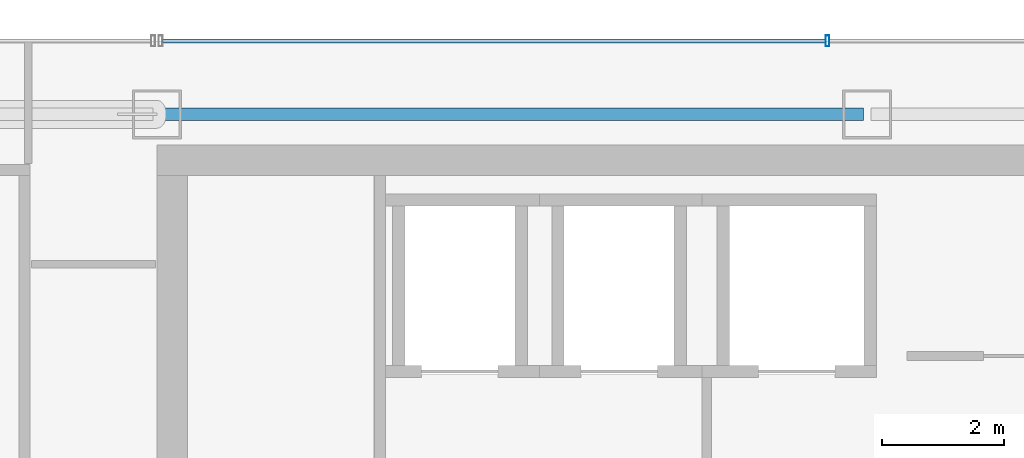
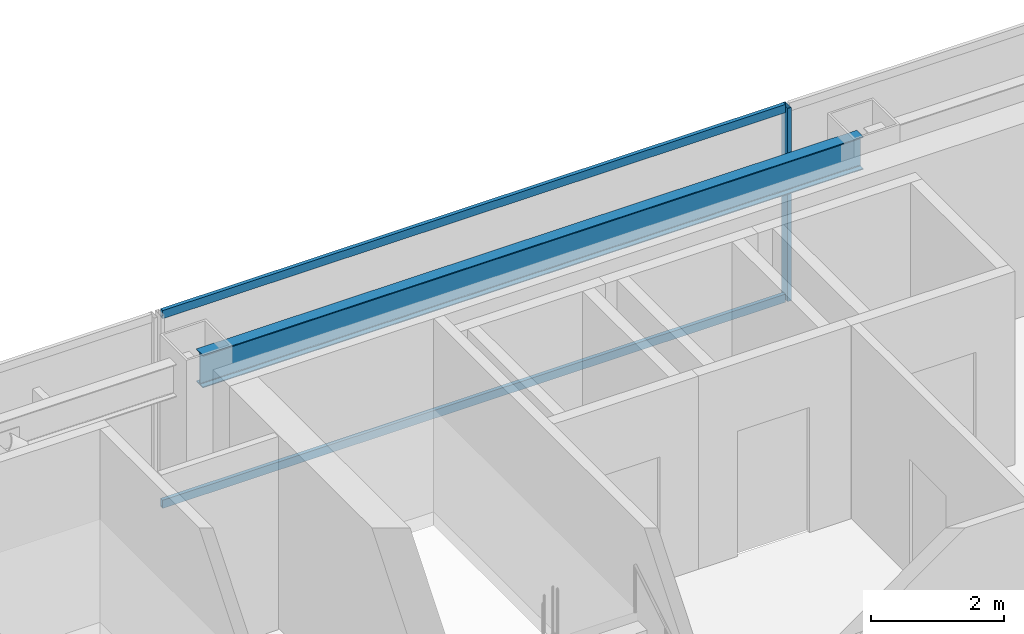
# One storey, part 24 of 36: 3 members, 1 beam, 1 element without a shape of its own.
"""IFC4 building model written with IfcOpenShell, lengths in metres."""

from ifc_helpers import new_model, si_unit, direction, frame, origin, origin_2d, place, context, subcontext, project, spatial, hollow_rectangle, i_section, extrude, material, material_profile, profile_set, type_object, element, aggregate, save


model = new_model("IFC4")

# Units and contexts
model_context = context("Model", 3, precision=1e-05, world=origin(), true_north=direction((0.0, 1.0)))
body_context = subcontext(model_context, "Body", "Model", "MODEL_VIEW")
ifc_project = project(units=[si_unit("LENGTHUNIT", "METRE"), si_unit("AREAUNIT", "SQUARE_METRE"), si_unit("VOLUMEUNIT", "CUBIC_METRE"), si_unit("PLANEANGLEUNIT", "RADIAN"), si_unit("MASSUNIT", "GRAM", prefix="KILO")], contexts=[model_context])

# Site, building, storey
site_placement = place(None, origin())
site = spatial("IfcSite", under=ifc_project, at=site_placement, CompositionType="ELEMENT")
building_placement = place(site_placement, origin())
building = spatial("IfcBuilding", under=site, at=building_placement, Name="Saevonmaru Cultural Tower", CompositionType="ELEMENT")
storey_placement = place(building_placement, frame((0.0, 0.0, 182.800048828125)))
storey = spatial("IfcBuildingStorey", under=building, at=storey_placement, Name="L41", CompositionType="ELEMENT", Elevation=182.800048828125)

# Beam
ifc_material_1 = material(Name="Steel SM355", Category="steel")
ifc_material_profile_1 = material_profile(ifc_material_1, i_section(OverallWidth=0.199951171875, OverallDepth=0.60009765625, WebThickness=0.010986328125, FlangeThickness=0.01708984375, FilletRadius=0.02197265625, at=origin_2d()), Name="H-600x200x11x17")
ifc_profile_set_1 = profile_set([ifc_material_profile_1], Name="Steel SM355")
beam_type = type_object("IfcBeamType", Name="BM-SP-H600", PredefinedType="SPANDREL", material=ifc_profile_set_1)
beam_placement = place(storey_placement, frame((13.659912109375, 54.800048828125, 3.25), z_axis=(1.0, 0.0, 0.0), x_axis=(0.0, 1.0, 0.0)))
element("IfcBeam", 1, at=beam_placement, inside=storey, type_object=beam_type, Name="L41 North Spine Girder 2", PredefinedType="SPANDREL", context=body_context, shape_type="SweptSolid", body=[
    extrude(i_section(OverallWidth=0.199951171875, OverallDepth=0.60009765625, WebThickness=0.010986328125, FlangeThickness=0.01708984375, FilletRadius=0.02197265625, at=origin_2d()), origin(), (0.0, 0.0, 1.0), 11.47998046875),
])

# Curtain wall, members
ifc_material_2 = material(Name="Satin Bronze Anodised Aluminium", Category="aluminium")
curtain_wall_type = type_object("IfcCurtainWallType", Name="CW-TYP-B", PredefinedType="NOTDEFINED", material=ifc_material_2)
curtain_wall_placement = place(storey_placement, origin())
curtain_wall = element("IfcCurtainWall", 2, at=curtain_wall_placement, inside=storey, type_object=curtain_wall_type, Name="L41 North Spine Unitised Curtain Wall E10B", PredefinedType="NOTDEFINED")
ifc_material_profile_2 = material_profile(ifc_material_2, hollow_rectangle(XDim=0.06494140625, YDim=0.179931640625, WallThickness=0.00390625, at=origin_2d()), Name="ALU-MULL-180x65x4")
ifc_profile_set_2 = profile_set([ifc_material_profile_2], Name="Satin Bronze Anodised Aluminium")
member_type_1 = type_object("IfcMemberType", Name="ML-CW-180x65", PredefinedType="MULLION", material=ifc_profile_set_2)
member_1_placement = place(storey_placement, frame((24.55322265625, 56.0, 0.0), z_axis=(0.0, 0.0, 1.0), x_axis=(-1.0, 0.0, 0.0)))
member_1 = element("IfcMember", 3, at=member_1_placement, type_object=member_type_1, Name="CW-TW-L41-E10B mullion 3", PredefinedType="MULLION", context=body_context, shape_type="SweptSolid", body=[
    extrude(hollow_rectangle(XDim=0.06494140625, YDim=0.179931640625, WallThickness=0.00390625, at=origin_2d()), origin(), (0.0, 0.0, 1.0), 3.550048828125),
])
ifc_material_profile_3 = material_profile(ifc_material_2, hollow_rectangle(XDim=0.06494140625, YDim=0.14990234375, WallThickness=0.00390625, at=origin_2d()), Name="ALU-TRAN-150x65x4")
ifc_profile_set_3 = profile_set([ifc_material_profile_3], Name="Satin Bronze Anodised Aluminium")
member_type_2 = type_object("IfcMemberType", Name="TR-CW-150x65", PredefinedType="USERDEFINED", material=ifc_profile_set_3)
member_2_placement = place(storey_placement, frame((24.520751953125, 56.0, 0.032470703125), z_axis=(-1.0, 0.0, 0.0), x_axis=(0.0, -1.0, 0.0)))
member_2 = element("IfcMember", 4, at=member_2_placement, type_object=member_type_2, Name="CW-TW-L41-E10B transom 3.1", ObjectType="TRANSOM", PredefinedType="USERDEFINED", context=body_context, shape_type="SweptSolid", body=[
    extrude(hollow_rectangle(XDim=0.06494140625, YDim=0.14990234375, WallThickness=0.00390625, at=origin_2d()), origin(), (0.0, 0.0, 1.0), 10.828369140625),
])
member_3_placement = place(storey_placement, frame((24.520751953125, 56.0, 3.517333984375), z_axis=(-1.0, 0.0, 0.0), x_axis=(0.0, -1.0, 0.0)))
member_3 = element("IfcMember", 5, at=member_3_placement, type_object=member_type_2, Name="CW-TW-L41-E10B transom 3.2", ObjectType="TRANSOM", PredefinedType="USERDEFINED", context=body_context, shape_type="SweptSolid", body=[
    extrude(hollow_rectangle(XDim=0.06494140625, YDim=0.14990234375, WallThickness=0.00390625, at=origin_2d()), origin(), (0.0, 0.0, 1.0), 10.828369140625),
])
aggregate(curtain_wall, [member_1, member_2, member_3])

save(model, "model.ifc")
